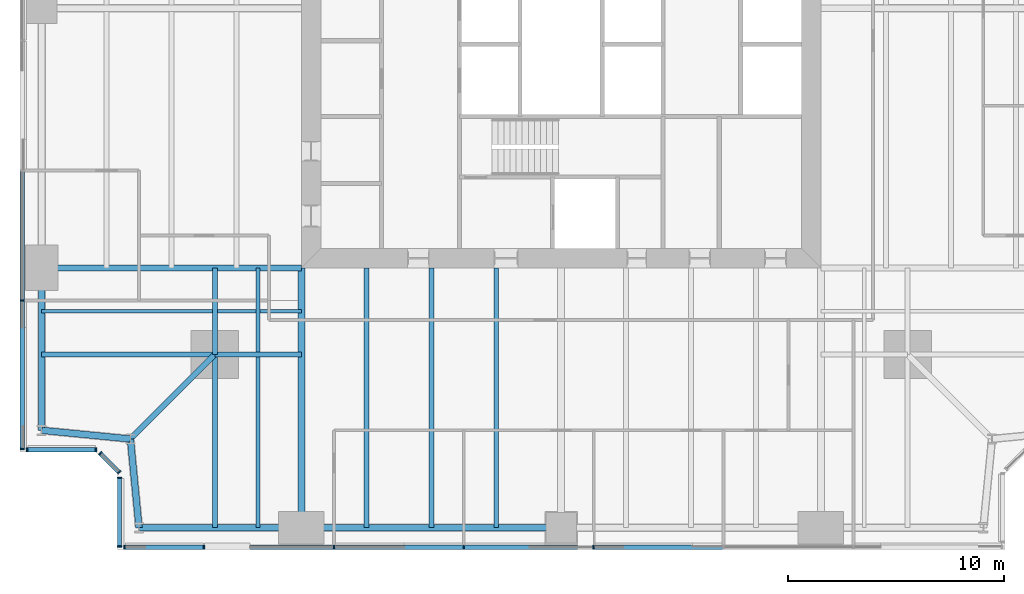
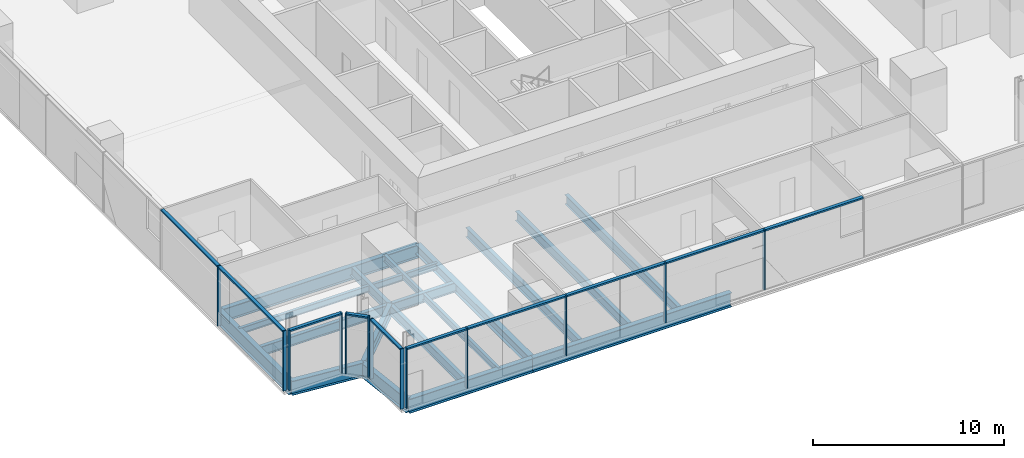
# One storey, part 2 of 13: 23 members, 20 beams, 5 elements without a shape of their own.
"""IFC4 building model written with IfcOpenShell, lengths in metres."""

from ifc_helpers import new_model, si_unit, direction, frame, origin, origin_2d, place, context, subcontext, project, spatial, rectangle, i_section, extrude, material, material_profile, profile_set, type_object, element, aggregate, save


model = new_model("IFC4")

# Units and contexts
model_context = context("Model", 3, precision=1e-05, world=origin(), true_north=direction((0.0, 1.0)))
body_context = subcontext(model_context, "Body", "Model", "MODEL_VIEW")
ifc_project = project(units=[si_unit("LENGTHUNIT", "METRE"), si_unit("AREAUNIT", "SQUARE_METRE"), si_unit("VOLUMEUNIT", "CUBIC_METRE"), si_unit("PLANEANGLEUNIT", "RADIAN"), si_unit("MASSUNIT", "GRAM", prefix="KILO")], contexts=[model_context])

# Site, building, storey
site_placement = place(None, origin())
site = spatial("IfcSite", under=ifc_project, at=site_placement, CompositionType="ELEMENT")
building_placement = place(site_placement, origin())
building = spatial("IfcBuilding", under=site, at=building_placement, Name="Fenwick Lantern Interchange", CompositionType="ELEMENT")
storey_placement = place(building_placement, frame((0.0, 0.0, 106.39990234375)))
storey = spatial("IfcBuildingStorey", under=building, at=storey_placement, Name="L24", CompositionType="ELEMENT", Elevation=106.39990234375)

# Beams
ifc_material_1 = material(Name="Steel ASTM A992 Grade 50", Category="steel")
ifc_material_profile_1 = material_profile(ifc_material_1, i_section(OverallWidth=0.3046875, OverallDepth=0.911865234375, WebThickness=0.015869140625, FlangeThickness=0.02392578125, at=origin_2d()), Name="W36X150")
ifc_profile_set_1 = profile_set([ifc_material_profile_1], Name="Steel ASTM A992 Grade 50")
beam_type_1 = type_object("IfcBeamType", Name="EDGE BEAM W36X150", PredefinedType="SPANDREL", material=ifc_profile_set_1)
beam_1_placement = place(storey_placement, frame((5.5, 1.0, -0.605712890625), z_axis=(1.0, 0.0, 0.0), x_axis=(0.0, 1.0, 0.0)))
element("IfcBeam", 1, at=beam_1_placement, inside=storey, type_object=beam_type_1, Name="L24/FR/S/EB1", PredefinedType="SPANDREL", context=body_context, shape_type="SweptSolid", body=[
    extrude(i_section(OverallWidth=0.3046875, OverallDepth=0.911865234375, WebThickness=0.015869140625, FlangeThickness=0.02392578125, at=origin_2d()), origin(), (0.0, 0.0, 1.0), 7.5),
])
beam_2_placement = place(storey_placement, frame((13.0, 1.0, -0.605712890625), z_axis=(1.0, 0.0, 0.0), x_axis=(0.0, 1.0, 0.0)))
element("IfcBeam", 2, at=beam_2_placement, inside=storey, type_object=beam_type_1, Name="L24/FR/S/EB2", PredefinedType="SPANDREL", context=body_context, shape_type="SweptSolid", body=[
    extrude(i_section(OverallWidth=0.3046875, OverallDepth=0.911865234375, WebThickness=0.015869140625, FlangeThickness=0.02392578125, at=origin_2d()), origin(), (0.0, 0.0, 1.0), 12.0),
])
beam_3_placement = place(storey_placement, frame((1.0, 13.0, -0.605712890625), z_axis=(0.0, -1.0, 0.0), x_axis=(1.0, 0.0, 0.0)))
element("IfcBeam", 3, at=beam_3_placement, inside=storey, type_object=beam_type_1, Name="L24/FR/W/EB4", PredefinedType="SPANDREL", context=body_context, shape_type="SweptSolid", body=[
    extrude(i_section(OverallWidth=0.3046875, OverallDepth=0.911865234375, WebThickness=0.015869140625, FlangeThickness=0.02392578125, at=origin_2d()), origin(), (0.0, 0.0, 1.0), 7.5),
])
for number, where, z_axis, x_axis, name in (
    (4, (1.0, 5.5, -0.605712890625), (0.995277148028, -0.097074191287, 0.0), (0.097074191287, 0.995277148028, 0.0), "L24/FR/W/EBR1"),
    (5, (5.10009765625, 5.10009765625, -0.605712890625), (0.097074191287, -0.995277148028, 0.0), (0.995277148028, 0.097074191287, 0.0), "L24/FR/W/EBR2"),
):
    element("IfcBeam", number, at=place(storey_placement, frame(where, z_axis=z_axis, x_axis=x_axis)), inside=storey, type_object=beam_type_1, Name=name, PredefinedType="SPANDREL", context=body_context, shape_type="SweptSolid", body=[
        extrude(i_section(OverallWidth=0.3046875, OverallDepth=0.911865234375, WebThickness=0.015869140625, FlangeThickness=0.02392578125, at=origin_2d()), origin(), (0.0, 0.0, 1.0), 4.11962890625),
    ])
ifc_material_profile_2 = material_profile(ifc_material_1, i_section(OverallWidth=0.22900390625, OverallDepth=0.612060546875, WebThickness=0.011962890625, FlangeThickness=0.01953125, at=origin_2d()), Name="W24X84")
ifc_profile_set_2 = profile_set([ifc_material_profile_2], Name="Steel ASTM A992 Grade 50")
beam_type_2 = type_object("IfcBeamType", Name="FLOOR BEAM W24X84", PredefinedType="BEAM", material=ifc_profile_set_2)
for number, where, z_axis, x_axis, name in (
    (6, (16.0, 1.0, -0.4560546875), (0.0, 1.0, 0.0), (-1.0, 0.0, 0.0), "L24/FR/S/R02"),
    (7, (19.0, 1.0, -0.4560546875), (0.0, 1.0, 0.0), (-1.0, 0.0, 0.0), "L24/FR/S/R03"),
    (8, (22.0, 1.0, -0.4560546875), (0.0, 1.0, 0.0), (-1.0, 0.0, 0.0), "L24/FR/S/R04"),
):
    element("IfcBeam", number, at=place(storey_placement, frame(where, z_axis=z_axis, x_axis=x_axis)), inside=storey, type_object=beam_type_2, Name=name, PredefinedType="BEAM", context=body_context, shape_type="SweptSolid", body=[
        extrude(i_section(OverallWidth=0.22900390625, OverallDepth=0.612060546875, WebThickness=0.011962890625, FlangeThickness=0.01953125, at=origin_2d()), origin(), (0.0, 0.0, 1.0), 12.0),
    ])
ifc_material_profile_3 = material_profile(ifc_material_1, i_section(OverallWidth=0.177734375, OverallDepth=0.406494140625, WebThickness=0.0078125, FlangeThickness=0.012939453125, at=origin_2d()), Name="W16X40")
ifc_profile_set_3 = profile_set([ifc_material_profile_3], Name="Steel ASTM A992 Grade 50")
beam_type_3 = type_object("IfcBeamType", Name="INFILL BEAM W16X40", PredefinedType="JOIST", material=ifc_profile_set_3)
beam_4_placement = place(storey_placement, frame((11.0, 1.0, -0.35302734375), z_axis=(0.0, 1.0, 0.0), x_axis=(-1.0, 0.0, 0.0)))
element("IfcBeam", 9, at=beam_4_placement, inside=storey, type_object=beam_type_3, Name="L24/FR/S/J1", PredefinedType="JOIST", context=body_context, shape_type="SweptSolid", body=[
    extrude(i_section(OverallWidth=0.177734375, OverallDepth=0.406494140625, WebThickness=0.0078125, FlangeThickness=0.012939453125, at=origin_2d()), origin(), (0.0, 0.0, 1.0), 7.885498046875),
])
beam_5_placement = place(storey_placement, frame((11.0, 9.114501953125, -0.35302734375), z_axis=(0.0, 1.0, 0.0), x_axis=(-1.0, 0.0, 0.0)))
element("IfcBeam", 10, at=beam_5_placement, inside=storey, type_object=beam_type_3, Name="L24/FR/S/J2", PredefinedType="JOIST", context=body_context, shape_type="SweptSolid", body=[
    extrude(i_section(OverallWidth=0.177734375, OverallDepth=0.406494140625, WebThickness=0.0078125, FlangeThickness=0.012939453125, at=origin_2d()), origin(), (0.0, 0.0, 1.0), 3.885498046875),
])
beam_6_placement = place(storey_placement, frame((1.0, 11.0, -0.35302734375), z_axis=(1.0, 0.0, 0.0), x_axis=(0.0, 1.0, 0.0)))
element("IfcBeam", 11, at=beam_6_placement, inside=storey, type_object=beam_type_3, Name="L24/FR/S/J3", PredefinedType="JOIST", context=body_context, shape_type="SweptSolid", body=[
    extrude(i_section(OverallWidth=0.177734375, OverallDepth=0.406494140625, WebThickness=0.0078125, FlangeThickness=0.012939453125, at=origin_2d()), origin(), (0.0, 0.0, 1.0), 7.885498046875),
])
beam_7_placement = place(storey_placement, frame((9.114501953125, 11.0, -0.35302734375), z_axis=(1.0, 0.0, 0.0), x_axis=(0.0, 1.0, 0.0)))
element("IfcBeam", 12, at=beam_7_placement, inside=storey, type_object=beam_type_3, Name="L24/FR/S/J4", PredefinedType="JOIST", context=body_context, shape_type="SweptSolid", body=[
    extrude(i_section(OverallWidth=0.177734375, OverallDepth=0.406494140625, WebThickness=0.0078125, FlangeThickness=0.012939453125, at=origin_2d()), origin(), (0.0, 0.0, 1.0), 1.796630859375),
])
beam_8_placement = place(storey_placement, frame((11.0888671875, 11.0, -0.35302734375), z_axis=(1.0, 0.0, 0.0), x_axis=(0.0, 1.0, 0.0)))
element("IfcBeam", 13, at=beam_8_placement, inside=storey, type_object=beam_type_3, Name="L24/FR/S/J5", PredefinedType="JOIST", context=body_context, shape_type="SweptSolid", body=[
    extrude(i_section(OverallWidth=0.177734375, OverallDepth=0.406494140625, WebThickness=0.0078125, FlangeThickness=0.012939453125, at=origin_2d()), origin(), (0.0, 0.0, 1.0), 1.9111328125),
])
ifc_material_profile_4 = material_profile(ifc_material_1, i_section(OverallWidth=0.22900390625, OverallDepth=0.612060546875, WebThickness=0.011962890625, FlangeThickness=0.01953125, at=origin_2d()), Name="W24X84")
ifc_profile_set_4 = profile_set([ifc_material_profile_4], Name="Steel ASTM A992 Grade 50")
beam_type_4 = type_object("IfcBeamType", Name="MEGA COLUMN BEAM W24X84", PredefinedType="BEAM", material=ifc_profile_set_4)
for number, where, z_axis, x_axis, name in (
    (14, (9.0, 9.0, -0.4560546875), (0.0, -1.0, 0.0), (1.0, 0.0, 0.0), "L24/FR/S/MB1"),
    (15, (9.0, 9.0, -0.4560546875), (-1.0, 0.0, 0.0), (0.0, -1.0, 0.0), "L24/FR/S/MB2"),
):
    element("IfcBeam", number, at=place(storey_placement, frame(where, z_axis=z_axis, x_axis=x_axis)), inside=storey, type_object=beam_type_4, Name=name, PredefinedType="BEAM", context=body_context, shape_type="SweptSolid", body=[
        extrude(i_section(OverallWidth=0.22900390625, OverallDepth=0.612060546875, WebThickness=0.011962890625, FlangeThickness=0.01953125, at=origin_2d()), origin(), (0.0, 0.0, 1.0), 8.0),
    ])
for number, where, z_axis, x_axis, name in (
    (16, (9.0, 9.0, -0.4560546875), (1.0, 0.0, 0.0), (0.0, 1.0, 0.0), "L24/FR/S/MB3"),
    (17, (9.0, 9.0, -0.4560546875), (0.0, 1.0, 0.0), (-1.0, 0.0, 0.0), "L24/FR/S/MB4"),
):
    element("IfcBeam", number, at=place(storey_placement, frame(where, z_axis=z_axis, x_axis=x_axis)), inside=storey, type_object=beam_type_4, Name=name, PredefinedType="BEAM", context=body_context, shape_type="SweptSolid", body=[
        extrude(i_section(OverallWidth=0.22900390625, OverallDepth=0.612060546875, WebThickness=0.011962890625, FlangeThickness=0.01953125, at=origin_2d()), origin(), (0.0, 0.0, 1.0), 4.0),
    ])
ifc_material_profile_5 = material_profile(ifc_material_1, i_section(OverallWidth=0.32763671875, OverallDepth=0.622314453125, WebThickness=0.015380859375, FlangeThickness=0.0244140625, at=origin_2d()), Name="W24X131")
ifc_profile_set_5 = profile_set([ifc_material_profile_5], Name="Steel ASTM A992 Grade 50")
beam_type_5 = type_object("IfcBeamType", Name="MOMENT-CONNECTED GIRDER W24X131", PredefinedType="BEAM", material=ifc_profile_set_5)
beam_9_placement = place(storey_placement, frame((13.0, 1.0, -0.4609375), z_axis=(0.0, 1.0, 0.0), x_axis=(-1.0, 0.0, 0.0)))
element("IfcBeam", 18, at=beam_9_placement, inside=storey, type_object=beam_type_5, Name="L24/FR/S/R01", PredefinedType="BEAM", context=body_context, shape_type="SweptSolid", body=[
    extrude(i_section(OverallWidth=0.32763671875, OverallDepth=0.622314453125, WebThickness=0.015380859375, FlangeThickness=0.0244140625, at=origin_2d()), origin(), (0.0, 0.0, 1.0), 12.0),
])
ifc_material_profile_6 = material_profile(ifc_material_1, i_section(OverallWidth=0.2919921875, OverallDepth=0.845703125, WebThickness=0.015380859375, FlangeThickness=0.0244140625, at=origin_2d()), Name="W33X141")
ifc_profile_set_6 = profile_set([ifc_material_profile_6], Name="Steel ASTM A992 Grade 50")
beam_type_6 = type_object("IfcBeamType", Name="MOMENT-CONNECTED GIRDER W33X141", PredefinedType="BEAM", material=ifc_profile_set_6)
beam_10_placement = place(storey_placement, frame((1.0, 13.0, -0.57275390625), z_axis=(1.0, 0.0, 0.0), x_axis=(0.0, 1.0, 0.0)))
element("IfcBeam", 19, at=beam_10_placement, inside=storey, type_object=beam_type_6, Name="L24/FR/W/R03", PredefinedType="BEAM", context=body_context, shape_type="SweptSolid", body=[
    extrude(i_section(OverallWidth=0.2919921875, OverallDepth=0.845703125, WebThickness=0.015380859375, FlangeThickness=0.0244140625, at=origin_2d()), origin(), (0.0, 0.0, 1.0), 12.0),
])
ifc_material_profile_7 = material_profile(ifc_material_1, i_section(OverallWidth=0.2666015625, OverallDepth=0.7568359375, WebThickness=0.013916015625, FlangeThickness=0.019287109375, at=origin_2d()), Name="W30X108")
ifc_profile_set_7 = profile_set([ifc_material_profile_7], Name="Steel ASTM A992 Grade 50")
beam_type_7 = type_object("IfcBeamType", Name="NOTCH BEAM W30X108", PredefinedType="BEAM", material=ifc_profile_set_7)
beam_11_placement = place(storey_placement, frame((9.0, 9.0, -0.5283203125), z_axis=(-0.707106781187, -0.707106781187, 0.0), x_axis=(0.707106781187, -0.707106781187, 0.0)))
element("IfcBeam", 20, at=beam_11_placement, inside=storey, type_object=beam_type_7, Name="L24/FR/S/TG", PredefinedType="BEAM", context=body_context, shape_type="SweptSolid", body=[
    extrude(i_section(OverallWidth=0.2666015625, OverallDepth=0.7568359375, WebThickness=0.013916015625, FlangeThickness=0.019287109375, at=origin_2d()), origin(), (0.0, 0.0, 1.0), 5.515380859375),
])

# Curtain wall, members
ifc_material_2 = material(Name="Aluminium curtain wall frame", Category="aluminium")
curtain_wall_type = type_object("IfcCurtainWallType", Name="OFFICE CURTAIN WALL", PredefinedType="USERDEFINED", material=ifc_material_2)
curtain_wall_1_placement = place(storey_placement, origin())
curtain_wall_1 = element("IfcCurtainWall", 21, at=curtain_wall_1_placement, inside=storey, type_object=curtain_wall_type, Name="Office curtain wall 01", ObjectType="OFFICE CURTAIN WALL", PredefinedType="USERDEFINED")
ifc_material_3 = material(Name="Aluminium extrusion", Category="aluminium")
ifc_material_profile_8 = material_profile(ifc_material_3, rectangle(XDim=0.199951171875, YDim=0.06494140625, at=origin_2d()), Name="OFFICE CURTAIN WALL MULLION 65 X 200")
ifc_profile_set_8 = profile_set([ifc_material_profile_8], Name="Aluminium extrusion")
member_type_1 = type_object("IfcMemberType", Name="OFFICE CURTAIN WALL MULLION 65 X 200", PredefinedType="MULLION", material=ifc_profile_set_8)
member_1_placement = place(storey_placement, frame((4.83251953125, 0.10009765625, 0.0), z_axis=(0.0, 0.0, 1.0), x_axis=(0.0, 1.0, 0.0)))
member_1 = element("IfcMember", 22, at=member_1_placement, type_object=member_type_1, Name="L24/CW/01/M00", PredefinedType="MULLION", context=body_context, shape_type="SweptSolid", body=[
    extrude(rectangle(XDim=0.199951171875, YDim=0.06494140625, at=origin_2d()), origin(), (0.0, 0.0, 1.0), 3.85009765625),
])
member_2_placement = place(storey_placement, frame((8.5, 0.10009765625, 0.0), z_axis=(0.0, 0.0, 1.0), x_axis=(0.0, 1.0, 0.0)))
member_2 = element("IfcMember", 23, at=member_2_placement, type_object=member_type_1, Name="L24/CW/01/M01", PredefinedType="MULLION", context=body_context, shape_type="SweptSolid", body=[
    extrude(rectangle(XDim=0.199951171875, YDim=0.06494140625, at=origin_2d()), origin(), (0.0, 0.0, 1.0), 3.85009765625),
])
member_3_placement = place(storey_placement, frame((14.5, 0.10009765625, 0.0), z_axis=(0.0, 0.0, 1.0), x_axis=(0.0, 1.0, 0.0)))
member_3 = element("IfcMember", 24, at=member_3_placement, type_object=member_type_1, Name="L24/CW/01/M02", PredefinedType="MULLION", context=body_context, shape_type="SweptSolid", body=[
    extrude(rectangle(XDim=0.199951171875, YDim=0.06494140625, at=origin_2d()), origin(), (0.0, 0.0, 1.0), 3.85009765625),
])
member_4_placement = place(storey_placement, frame((20.5, 0.10009765625, 0.0), z_axis=(0.0, 0.0, 1.0), x_axis=(0.0, 1.0, 0.0)))
member_4 = element("IfcMember", 25, at=member_4_placement, type_object=member_type_1, Name="L24/CW/01/M03", PredefinedType="MULLION", context=body_context, shape_type="SweptSolid", body=[
    extrude(rectangle(XDim=0.199951171875, YDim=0.06494140625, at=origin_2d()), origin(), (0.0, 0.0, 1.0), 3.85009765625),
])
member_5_placement = place(storey_placement, frame((26.5, 0.10009765625, 0.0), z_axis=(0.0, 0.0, 1.0), x_axis=(0.0, 1.0, 0.0)))
member_5 = element("IfcMember", 26, at=member_5_placement, type_object=member_type_1, Name="L24/CW/01/M04", PredefinedType="MULLION", context=body_context, shape_type="SweptSolid", body=[
    extrude(rectangle(XDim=0.199951171875, YDim=0.06494140625, at=origin_2d()), origin(), (0.0, 0.0, 1.0), 3.85009765625),
])

curtain_wall_2_placement = place(storey_placement, origin())
curtain_wall_2 = element("IfcCurtainWall", 27, at=curtain_wall_2_placement, inside=storey, type_object=curtain_wall_type, Name="Office curtain wall 13", ObjectType="OFFICE CURTAIN WALL", PredefinedType="USERDEFINED")
member_6_placement = place(storey_placement, frame((0.10009765625, 11.5, 0.0), z_axis=(0.0, 0.0, 1.0), x_axis=(1.0, 0.0, 0.0)))
member_6 = element("IfcMember", 28, at=member_6_placement, type_object=member_type_1, Name="L24/CW/13/M06", PredefinedType="MULLION", context=body_context, shape_type="SweptSolid", body=[
    extrude(rectangle(XDim=0.199951171875, YDim=0.06494140625, at=origin_2d()), origin(), (0.0, 0.0, 1.0), 3.85009765625),
])
member_7_placement = place(storey_placement, frame((0.10009765625, 4.632568359375, 0.0), z_axis=(0.0, 0.0, 1.0), x_axis=(1.0, 0.0, 0.0)))
member_7 = element("IfcMember", 29, at=member_7_placement, type_object=member_type_1, Name="L24/CW/13/M07", PredefinedType="MULLION", context=body_context, shape_type="SweptSolid", body=[
    extrude(rectangle(XDim=0.199951171875, YDim=0.06494140625, at=origin_2d()), origin(), (0.0, 0.0, 1.0), 3.85009765625),
])

curtain_wall_3_placement = place(storey_placement, origin())
curtain_wall_3 = element("IfcCurtainWall", 30, at=curtain_wall_3_placement, inside=storey, type_object=curtain_wall_type, Name="Office curtain wall 14", ObjectType="OFFICE CURTAIN WALL", PredefinedType="USERDEFINED")
member_8_placement = place(storey_placement, frame((0.33251953125, 4.60009765625, 0.0), z_axis=(0.0, 0.0, 1.0), x_axis=(0.0, 1.0, 0.0)))
member_8 = element("IfcMember", 31, at=member_8_placement, type_object=member_type_1, Name="L24/CW/14/M00", PredefinedType="MULLION", context=body_context, shape_type="SweptSolid", body=[
    extrude(rectangle(XDim=0.199951171875, YDim=0.06494140625, at=origin_2d()), origin(), (0.0, 0.0, 1.0), 3.85009765625),
])
member_9_placement = place(storey_placement, frame((3.509033203125, 4.60009765625, 0.0), z_axis=(0.0, 0.0, 1.0), x_axis=(0.0, 1.0, 0.0)))
member_9 = element("IfcMember", 32, at=member_9_placement, type_object=member_type_1, Name="L24/CW/14/M01", PredefinedType="MULLION", context=body_context, shape_type="SweptSolid", body=[
    extrude(rectangle(XDim=0.199951171875, YDim=0.06494140625, at=origin_2d()), origin(), (0.0, 0.0, 1.0), 3.85009765625),
])

curtain_wall_4_placement = place(storey_placement, origin())
curtain_wall_4 = element("IfcCurtainWall", 33, at=curtain_wall_4_placement, inside=storey, type_object=curtain_wall_type, Name="Office curtain wall 15", ObjectType="OFFICE CURTAIN WALL", PredefinedType="USERDEFINED")
member_10_placement = place(storey_placement, frame((3.705810546875, 4.435546875, 0.0), z_axis=(0.0, 0.0, 1.0), x_axis=(0.707106781187, 0.707106781187, 0.0)))
member_10 = element("IfcMember", 34, at=member_10_placement, type_object=member_type_1, Name="L24/CW/15/M00", PredefinedType="MULLION", context=body_context, shape_type="SweptSolid", body=[
    extrude(rectangle(XDim=0.199951171875, YDim=0.06494140625, at=origin_2d()), origin(), (0.0, 0.0, 1.0), 3.85009765625),
])
member_11_placement = place(storey_placement, frame((4.576904296875, 3.564453125, 0.0), z_axis=(0.0, 0.0, 1.0), x_axis=(0.707106781187, 0.707106781187, 0.0)))
member_11 = element("IfcMember", 35, at=member_11_placement, type_object=member_type_1, Name="L24/CW/15/M01", PredefinedType="MULLION", context=body_context, shape_type="SweptSolid", body=[
    extrude(rectangle(XDim=0.199951171875, YDim=0.06494140625, at=origin_2d()), origin(), (0.0, 0.0, 1.0), 3.85009765625),
])

curtain_wall_5_placement = place(storey_placement, origin())
curtain_wall_5 = element("IfcCurtainWall", 36, at=curtain_wall_5_placement, inside=storey, type_object=curtain_wall_type, Name="Office curtain wall 16", ObjectType="OFFICE CURTAIN WALL", PredefinedType="USERDEFINED")
member_12_placement = place(storey_placement, frame((4.60009765625, 3.308837890625, 0.0), z_axis=(0.0, 0.0, 1.0), x_axis=(1.0, 0.0, 0.0)))
member_12 = element("IfcMember", 37, at=member_12_placement, type_object=member_type_1, Name="L24/CW/16/M00", PredefinedType="MULLION", context=body_context, shape_type="SweptSolid", body=[
    extrude(rectangle(XDim=0.199951171875, YDim=0.06494140625, at=origin_2d()), origin(), (0.0, 0.0, 1.0), 3.85009765625),
])
member_13_placement = place(storey_placement, frame((4.60009765625, 0.132568359375, 0.0), z_axis=(0.0, 0.0, 1.0), x_axis=(1.0, 0.0, 0.0)))
member_13 = element("IfcMember", 38, at=member_13_placement, type_object=member_type_1, Name="L24/CW/16/M01", PredefinedType="MULLION", context=body_context, shape_type="SweptSolid", body=[
    extrude(rectangle(XDim=0.199951171875, YDim=0.06494140625, at=origin_2d()), origin(), (0.0, 0.0, 1.0), 3.85009765625),
])

# Member
ifc_material_profile_9 = material_profile(ifc_material_3, rectangle(XDim=0.199951171875, YDim=0.10009765625, at=origin_2d()), Name="OFFICE CURTAIN WALL TRANSOM 100 X 200")
ifc_profile_set_9 = profile_set([ifc_material_profile_9], Name="Aluminium extrusion")
member_type_2 = type_object("IfcMemberType", Name="OFFICE CURTAIN WALL TRANSOM 100 X 200", PredefinedType="MULLION", material=ifc_profile_set_9)
member_14_placement = place(storey_placement, frame((4.864990234375, 0.10009765625, 3.800048828125), z_axis=(1.0, 0.0, 0.0), x_axis=(0.0, 1.0, 0.0)))
member_14 = element("IfcMember", 39, at=member_14_placement, type_object=member_type_2, Name="L24/CW/01/T00", PredefinedType="MULLION", context=body_context, shape_type="SweptSolid", body=[
    extrude(rectangle(XDim=0.199951171875, YDim=0.10009765625, at=origin_2d()), origin(), (0.0, 0.0, 1.0), 3.6025390625),
])

member_15_placement = place(storey_placement, frame((8.532470703125, 0.10009765625, 3.800048828125), z_axis=(1.0, 0.0, 0.0), x_axis=(0.0, 1.0, 0.0)))
member_15 = element("IfcMember", 40, at=member_15_placement, type_object=member_type_2, Name="L24/CW/01/T01", PredefinedType="MULLION", context=body_context, shape_type="SweptSolid", body=[
    extrude(rectangle(XDim=0.199951171875, YDim=0.10009765625, at=origin_2d()), origin(), (0.0, 0.0, 1.0), 5.93505859375),
])

member_16_placement = place(storey_placement, frame((14.532470703125, 0.10009765625, 3.800048828125), z_axis=(1.0, 0.0, 0.0), x_axis=(0.0, 1.0, 0.0)))
member_16 = element("IfcMember", 41, at=member_16_placement, type_object=member_type_2, Name="L24/CW/01/T02", PredefinedType="MULLION", context=body_context, shape_type="SweptSolid", body=[
    extrude(rectangle(XDim=0.199951171875, YDim=0.10009765625, at=origin_2d()), origin(), (0.0, 0.0, 1.0), 5.93505859375),
])

member_17_placement = place(storey_placement, frame((20.532470703125, 0.10009765625, 3.800048828125), z_axis=(1.0, 0.0, 0.0), x_axis=(0.0, 1.0, 0.0)))
member_17 = element("IfcMember", 42, at=member_17_placement, type_object=member_type_2, Name="L24/CW/01/T03", PredefinedType="MULLION", context=body_context, shape_type="SweptSolid", body=[
    extrude(rectangle(XDim=0.199951171875, YDim=0.10009765625, at=origin_2d()), origin(), (0.0, 0.0, 1.0), 5.93505859375),
])

member_18_placement = place(storey_placement, frame((26.532470703125, 0.10009765625, 3.800048828125), z_axis=(1.0, 0.0, 0.0), x_axis=(0.0, 1.0, 0.0)))
member_18 = element("IfcMember", 43, at=member_18_placement, type_object=member_type_2, Name="L24/CW/01/T04", PredefinedType="MULLION", context=body_context, shape_type="SweptSolid", body=[
    extrude(rectangle(XDim=0.199951171875, YDim=0.10009765625, at=origin_2d()), origin(), (0.0, 0.0, 1.0), 5.93505859375),
])

aggregate(curtain_wall_1, [member_1, member_2, member_3, member_4, member_5, member_14, member_15, member_16, member_17, member_18])

member_19_placement = place(storey_placement, frame((0.10009765625, 17.467529296875, 3.800048828125), z_axis=(0.0, -1.0, 0.0), x_axis=(1.0, 0.0, 0.0)))
member_19 = element("IfcMember", 44, at=member_19_placement, type_object=member_type_2, Name="L24/CW/13/T05", PredefinedType="MULLION", context=body_context, shape_type="SweptSolid", body=[
    extrude(rectangle(XDim=0.199951171875, YDim=0.10009765625, at=origin_2d()), origin(), (0.0, 0.0, 1.0), 5.93505859375),
])

member_20_placement = place(storey_placement, frame((0.10009765625, 11.467529296875, 3.800048828125), z_axis=(0.0, -1.0, 0.0), x_axis=(1.0, 0.0, 0.0)))
member_20 = element("IfcMember", 45, at=member_20_placement, type_object=member_type_2, Name="L24/CW/13/T06", PredefinedType="MULLION", context=body_context, shape_type="SweptSolid", body=[
    extrude(rectangle(XDim=0.199951171875, YDim=0.10009765625, at=origin_2d()), origin(), (0.0, 0.0, 1.0), 6.802490234375),
])

aggregate(curtain_wall_2, [member_6, member_7, member_19, member_20])

member_21_placement = place(storey_placement, frame((0.364990234375, 4.60009765625, 3.800048828125), z_axis=(1.0, 0.0, 0.0), x_axis=(0.0, 1.0, 0.0)))
member_21 = element("IfcMember", 46, at=member_21_placement, type_object=member_type_2, Name="L24/CW/14/T00", PredefinedType="MULLION", context=body_context, shape_type="SweptSolid", body=[
    extrude(rectangle(XDim=0.199951171875, YDim=0.10009765625, at=origin_2d()), origin(), (0.0, 0.0, 1.0), 3.111328125),
])

aggregate(curtain_wall_3, [member_8, member_9, member_21])

member_22_placement = place(storey_placement, frame((3.728759765625, 4.41259765625, 3.800048828125), z_axis=(0.707106781187, -0.707106781187, 0.0), x_axis=(0.707106781187, 0.707106781187, 0.0)))
member_22 = element("IfcMember", 47, at=member_22_placement, type_object=member_type_2, Name="L24/CW/15/T00", PredefinedType="MULLION", context=body_context, shape_type="SweptSolid", body=[
    extrude(rectangle(XDim=0.199951171875, YDim=0.10009765625, at=origin_2d()), origin(), (0.0, 0.0, 1.0), 1.1669921875),
])

aggregate(curtain_wall_4, [member_10, member_11, member_22])

member_23_placement = place(storey_placement, frame((4.60009765625, 3.2763671875, 3.800048828125), z_axis=(0.0, -1.0, 0.0), x_axis=(1.0, 0.0, 0.0)))
member_23 = element("IfcMember", 48, at=member_23_placement, type_object=member_type_2, Name="L24/CW/16/T00", PredefinedType="MULLION", context=body_context, shape_type="SweptSolid", body=[
    extrude(rectangle(XDim=0.199951171875, YDim=0.10009765625, at=origin_2d()), origin(), (0.0, 0.0, 1.0), 3.111328125),
])

aggregate(curtain_wall_5, [member_12, member_13, member_23])

save(model, "model.ifc")
